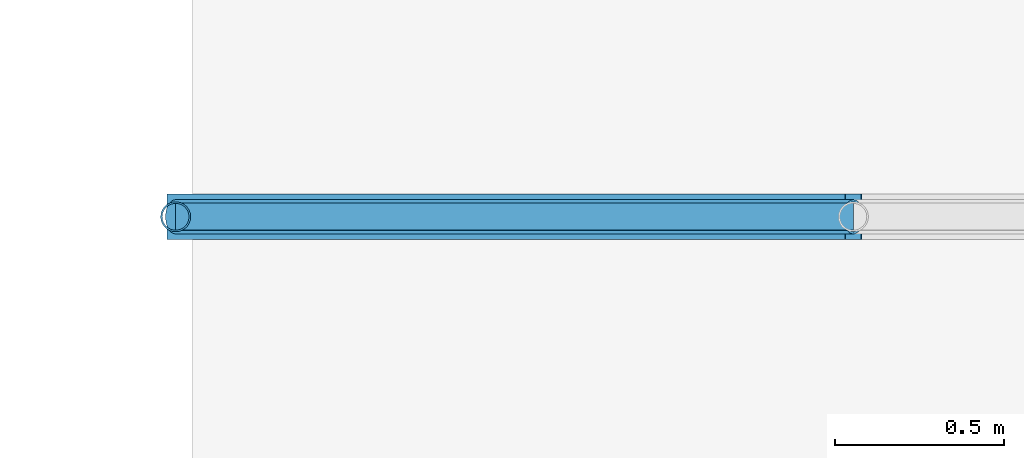
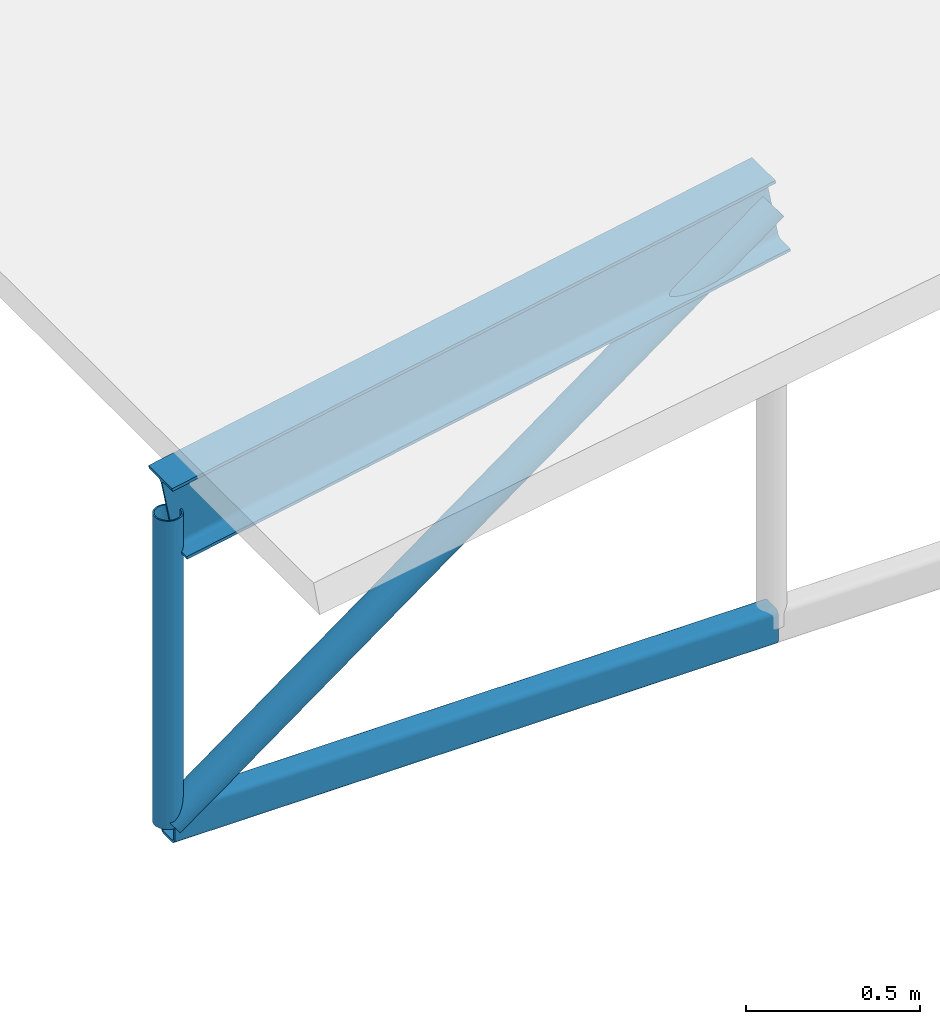
# One storey, part 3 of 54: 4 members.
"""IFC4 building model written with IfcOpenShell, lengths in metres."""

from ifc_helpers import new_model, si_unit, derived_unit, direction, frame, origin, origin_2d, place, context, subcontext, project, spatial, hollow_rectangle, hollow_circle, i_section, extrude, material, material_profile, profile_set, type_object, element, save


model = new_model("IFC4")

# Units and contexts
model_context = context("Model", 3, precision=1e-05, world=origin(), true_north=direction((0.0, 1.0)))
body_context = subcontext(model_context, "Body", "Model", "MODEL_VIEW")
ifc_project = project(units=[si_unit("LENGTHUNIT", "METRE"), si_unit("AREAUNIT", "SQUARE_METRE"), si_unit("VOLUMEUNIT", "CUBIC_METRE"), si_unit("PLANEANGLEUNIT", "RADIAN"), si_unit("MASSUNIT", "GRAM", prefix="KILO"), derived_unit("THERMALTRANSMITTANCEUNIT", [(si_unit("POWERUNIT", "WATT"), 1), (si_unit("LENGTHUNIT", "METRE"), -2), (si_unit("THERMODYNAMICTEMPERATUREUNIT", "KELVIN"), -1)])], contexts=[model_context])

# Site, building, storey
site_placement = place(None, origin())
site = spatial("IfcSite", under=ifc_project, at=site_placement, CompositionType="ELEMENT")
building_placement = place(site_placement, origin())
building = spatial("IfcBuilding", under=site, at=building_placement, Name="Keldorne Ridge Multi-Sports Centre", CompositionType="ELEMENT")
storey_placement = place(building_placement, frame((0.0, 0.0, 22.199951171875)))
storey = spatial("IfcBuildingStorey", under=building, at=storey_placement, Name="ROOF", CompositionType="ELEMENT", Elevation=22.199951171875)

# Members
ifc_material = material(Name="Steel S355", Category="steel")
ifc_material_profile_1 = material_profile(ifc_material, i_section(OverallWidth=0.135009765625, OverallDepth=0.27001953125, WebThickness=0.006591796875, FlangeThickness=0.01025390625, FilletRadius=0.014892578125, at=origin_2d()), Name="IPE 270")
ifc_profile_set_1 = profile_set([ifc_material_profile_1], Name="Steel S355")
member_type_1 = type_object("IfcMemberType", Name="MEM-RF-02", PredefinedType="RAFTER", material=ifc_profile_set_1)
member_1_placement = place(storey_placement, frame((84.0, 6.0, -12.639892578125), z_axis=(0.982435006317, 0.0, 0.186605086649), x_axis=(0.0, 1.0, 0.0)))
element("IfcMember", 1, at=member_1_placement, inside=storey, type_object=member_type_1, Name="Public Passage bowstring arch top chord 01.1", PredefinedType="RAFTER", context=body_context, shape_type="SweptSolid", body=[
    extrude(i_section(OverallWidth=0.135009765625, OverallDepth=0.27001953125, WebThickness=0.006591796875, FlangeThickness=0.01025390625, FilletRadius=0.014892578125, at=origin_2d()), origin(), (0.0, 0.0, 1.0), 2.03564453125),
])
ifc_material_profile_2 = material_profile(ifc_material, hollow_rectangle(XDim=0.080078125, YDim=0.1201171875, WallThickness=0.008056640625, InnerFilletRadius=0.008056640625, OuterFilletRadius=0.01611328125, at=origin_2d()), Name="RHS 120x80x8")
ifc_profile_set_2 = profile_set([ifc_material_profile_2], Name="Steel S355")
member_type_2 = type_object("IfcMemberType", Name="MEM-TC-07", PredefinedType="CHORD", material=ifc_profile_set_2)
member_2_placement = place(storey_placement, frame((84.0, 6.0, -13.719970703125), z_axis=(1.0, 0.0, 0.0), x_axis=(0.0, 1.0, 0.0)))
element("IfcMember", 2, at=member_2_placement, inside=storey, type_object=member_type_2, Name="Public Passage bowstring tie chord 01.1", PredefinedType="CHORD", context=body_context, shape_type="SweptSolid", body=[
    extrude(hollow_rectangle(XDim=0.080078125, YDim=0.1201171875, WallThickness=0.008056640625, InnerFilletRadius=0.008056640625, OuterFilletRadius=0.01611328125, at=origin_2d()), origin(), (0.0, 0.0, 1.0), 2.0),
])
ifc_material_profile_3 = material_profile(ifc_material, hollow_circle(Radius=0.05078125, WallThickness=0.00634765625, at=origin_2d()), Name="CHS 101.6x6.3")
ifc_profile_set_3 = profile_set([ifc_material_profile_3], Name="Steel S355")
member_type_3 = type_object("IfcMemberType", Name="MEM-TD-05", PredefinedType="BRACE", material=ifc_profile_set_3)
member_3_placement = place(storey_placement, frame((84.0, 6.0, -13.719970703125), z_axis=(0.8076945033, 0.0, 0.589601212125), x_axis=(0.0, 1.0, 0.0)))
element("IfcMember", 3, at=member_3_placement, inside=storey, type_object=member_type_3, Name="Public Passage bowstring web diagonal 01.1", PredefinedType="BRACE", context=body_context, shape_type="SweptSolid", body=[
    extrude(hollow_circle(Radius=0.05078125, WallThickness=0.00634765625, at=origin_2d()), origin(), (0.0, 0.0, 1.0), 2.47607421875),
])
ifc_material_profile_4 = material_profile(ifc_material, hollow_circle(Radius=0.04443359375, WallThickness=0.0048828125, at=origin_2d()), Name="CHS 88.9x5")
ifc_profile_set_4 = profile_set([ifc_material_profile_4], Name="Steel S355")
member_type_4 = type_object("IfcMemberType", Name="MEM-TV-07", PredefinedType="STRUT", material=ifc_profile_set_4)
member_4_placement = place(storey_placement, frame((84.0, 6.0, -13.719970703125), z_axis=(0.0, 0.0, 1.0), x_axis=(1.0, 0.0, 0.0)))
element("IfcMember", 4, at=member_4_placement, inside=storey, type_object=member_type_4, Name="Public Passage bowstring hanger 01.1", PredefinedType="STRUT", context=body_context, shape_type="SweptSolid", body=[
    extrude(hollow_circle(Radius=0.04443359375, WallThickness=0.0048828125, at=origin_2d()), origin(), (0.0, 0.0, 1.0), 1.080078125),
])

save(model, "model.ifc")
